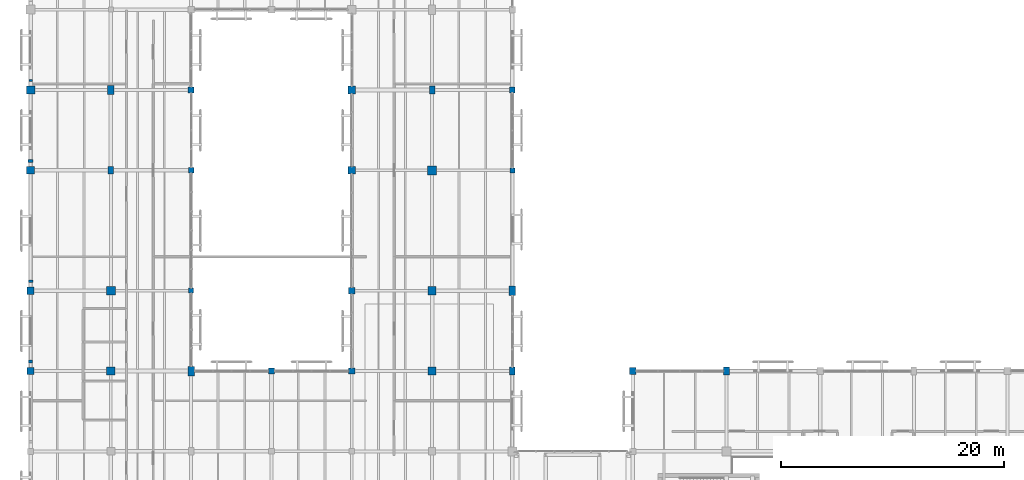
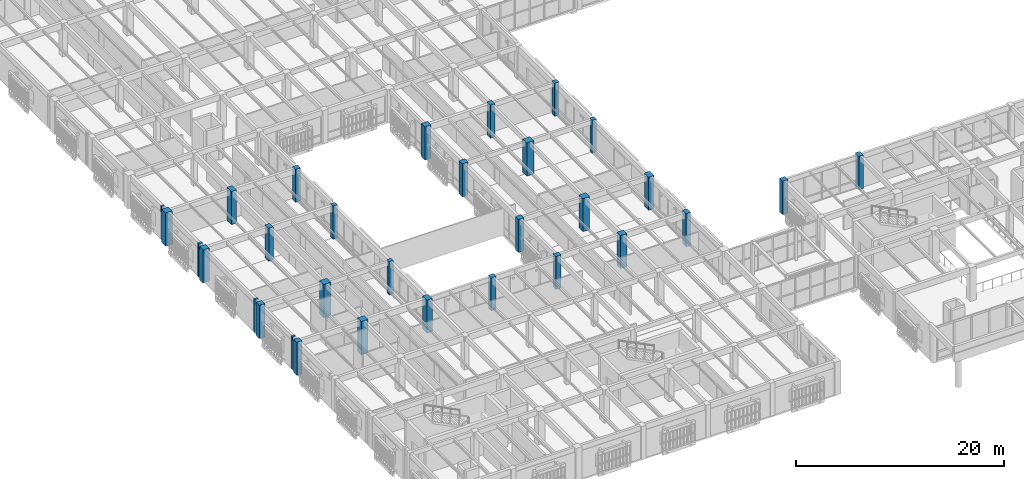
# One storey, part 3 of 170: 31 columns.
"""IFC4 building model written with IfcOpenShell, lengths in metres."""

from ifc_helpers import new_model, si_unit, direction, frame, origin, origin_2d, place, context, subcontext, project, spatial, rectangle, extrude, material, material_profile, profile_set, type_object, element, save


model = new_model("IFC4")

# Units and contexts
model_context = context("Model", 3, precision=1e-05, world=origin(), true_north=direction((0.0, 1.0)))
body_context = subcontext(model_context, "Body", "Model", "MODEL_VIEW")
ifc_project = project(units=[si_unit("LENGTHUNIT", "METRE"), si_unit("AREAUNIT", "SQUARE_METRE"), si_unit("VOLUMEUNIT", "CUBIC_METRE"), si_unit("PLANEANGLEUNIT", "RADIAN"), si_unit("MASSUNIT", "GRAM", prefix="KILO")], contexts=[model_context])

# Site, building, storey
site_placement = place(None, origin())
site = spatial("IfcSite", under=ifc_project, at=site_placement, CompositionType="ELEMENT")
building_placement = place(site_placement, origin())
building = spatial("IfcBuilding", under=site, at=building_placement, Name="Mazaris Harbour Polytechnic", CompositionType="ELEMENT")
storey_placement = place(building_placement, frame((0.0, 0.0, 5.39990234375)))
storey = spatial("IfcBuildingStorey", under=building, at=storey_placement, Name="L01", CompositionType="ELEMENT", Elevation=5.39990234375)

# Columns
ifc_material_1 = material(Name="Concrete C35/45", Category="concrete")
ifc_material_profile_1 = material_profile(ifc_material_1, rectangle(XDim=0.320068359375, YDim=0.219970703125, at=origin_2d()), Name="RECT320x220")
ifc_profile_set_1 = profile_set([ifc_material_profile_1], Name="Concrete C35/45")
column_type_1 = type_object("IfcColumnType", Name="Limestone Pilaster 320x220", PredefinedType="PILASTER", material=ifc_profile_set_1)
column_1_placement = place(storey_placement, frame((0.0, 62.050048828125, 0.0), z_axis=(0.0, 0.0, 1.0), x_axis=(1.0, 0.0, 0.0)))
element("IfcColumn", 1, at=column_1_placement, inside=storey, type_object=column_type_1, Name="V4 L01 Giant Order Pilaster 32", PredefinedType="PILASTER", context=body_context, shape_type="SweptSolid", body=[
    extrude(rectangle(XDim=0.320068359375, YDim=0.219970703125, at=origin_2d()), origin(), (0.0, 0.0, 1.0), 3.89013671875),
])
ifc_material_2 = material(Name="Concrete C35/45", Category="concrete")
ifc_material_profile_2 = material_profile(ifc_material_2, rectangle(XDim=0.360107421875, YDim=0.239990234375, at=origin_2d()), Name="RECT360x240")
ifc_profile_set_2 = profile_set([ifc_material_profile_2], Name="Concrete C35/45")
column_type_2 = type_object("IfcColumnType", Name="Limestone Pilaster 360x240", PredefinedType="PILASTER", material=ifc_profile_set_2)
column_2_placement = place(storey_placement, frame((0.0, 36.85009765625, 0.0), z_axis=(0.0, 0.0, 1.0), x_axis=(1.0, 0.0, 0.0)))
element("IfcColumn", 2, at=column_2_placement, inside=storey, type_object=column_type_2, Name="V4 L01 Giant Order Pilaster 29", PredefinedType="PILASTER", context=body_context, shape_type="SweptSolid", body=[
    extrude(rectangle(XDim=0.360107421875, YDim=0.239990234375, at=origin_2d()), origin(), (0.0, 0.0, 1.0), 3.89013671875),
])
ifc_material_3 = material(Name="Concrete C35/45", Category="concrete")
ifc_material_profile_3 = material_profile(ifc_material_3, rectangle(XDim=0.39990234375, YDim=0.260009765625, at=origin_2d()), Name="RECT400x260")
ifc_profile_set_3 = profile_set([ifc_material_profile_3], Name="Concrete C35/45")
column_type_3 = type_object("IfcColumnType", Name="Limestone Pilaster 400x260", PredefinedType="PILASTER", material=ifc_profile_set_3)
column_3_placement = place(storey_placement, frame((0.0, 44.050048828125, 0.0), z_axis=(0.0, 0.0, 1.0), x_axis=(1.0, 0.0, 0.0)))
element("IfcColumn", 3, at=column_3_placement, inside=storey, type_object=column_type_3, Name="V4 L01 Giant Order Pilaster 30", PredefinedType="PILASTER", context=body_context, shape_type="SweptSolid", body=[
    extrude(rectangle(XDim=0.39990234375, YDim=0.260009765625, at=origin_2d()), origin(), (0.0, 0.0, 1.0), 3.89013671875),
])
ifc_material_4 = material(Name="Concrete C35/45", Category="concrete")
ifc_material_profile_4 = material_profile(ifc_material_4, rectangle(XDim=0.43994140625, YDim=0.280029296875, at=origin_2d()), Name="RECT440x280")
ifc_profile_set_4 = profile_set([ifc_material_profile_4], Name="Concrete C35/45")
column_type_4 = type_object("IfcColumnType", Name="Limestone Pilaster 440x280", PredefinedType="PILASTER", material=ifc_profile_set_4)
column_4_placement = place(storey_placement, frame((0.0, 54.85009765625, 0.0), z_axis=(0.0, 0.0, 1.0), x_axis=(1.0, 0.0, 0.0)))
element("IfcColumn", 4, at=column_4_placement, inside=storey, type_object=column_type_4, Name="V4 L01 Giant Order Pilaster 31", PredefinedType="PILASTER", context=body_context, shape_type="SweptSolid", body=[
    extrude(rectangle(XDim=0.43994140625, YDim=0.280029296875, at=origin_2d()), origin(), (0.0, 0.0, 1.0), 3.89013671875),
])
ifc_material_5 = material(Name="Concrete C40/50", Category="concrete")
ifc_material_profile_5 = material_profile(ifc_material_5, rectangle(XDim=0.449951171875, YDim=0.449951171875, at=origin_2d()), Name="RECT450x450")
ifc_profile_set_5 = profile_set([ifc_material_profile_5], Name="Concrete C40/50")
column_type_5 = type_object("IfcColumnType", Name="RC Column 450x450", PredefinedType="COLUMN", material=ifc_profile_set_5)
column_5_placement = place(storey_placement, frame((14.39990234375, 43.199951171875, 0.0), z_axis=(0.0, 0.0, 1.0), x_axis=(1.0, 0.0, 0.0)))
element("IfcColumn", 5, at=column_5_placement, inside=storey, type_object=column_type_5, Name="V4 L01 Column 759", PredefinedType="COLUMN", context=body_context, shape_type="SweptSolid", body=[
    extrude(rectangle(XDim=0.449951171875, YDim=0.449951171875, at=origin_2d()), origin(), (0.0, 0.0, 1.0), 3.89013671875),
])
ifc_material_6 = material(Name="Concrete C40/50", Category="concrete")
ifc_material_profile_6 = material_profile(ifc_material_6, rectangle(XDim=0.449951171875, YDim=0.449951171875, at=origin_2d()), Name="RECT450x450")
ifc_profile_set_6 = profile_set([ifc_material_profile_6], Name="Concrete C40/50")
column_type_6 = type_object("IfcColumnType", Name="RC Column 450x450 Exterior", PredefinedType="COLUMN", material=ifc_profile_set_6)
column_6_placement = place(storey_placement, frame((43.199951171875, 54.0, 0.0), z_axis=(0.0, 0.0, 1.0), x_axis=(1.0, 0.0, 0.0)))
element("IfcColumn", 6, at=column_6_placement, inside=storey, type_object=column_type_6, Name="V4 L01 Column 809", PredefinedType="COLUMN", context=body_context, shape_type="SweptSolid", body=[
    extrude(rectangle(XDim=0.449951171875, YDim=0.449951171875, at=origin_2d()), origin(), (0.0, 0.0, 1.0), 3.89013671875),
])
ifc_material_7 = material(Name="Concrete C40/50", Category="concrete")
ifc_material_profile_7 = material_profile(ifc_material_7, rectangle(XDim=0.5, YDim=0.5, at=origin_2d()), Name="RECT500x500")
ifc_profile_set_7 = profile_set([ifc_material_profile_7], Name="Concrete C40/50")
column_type_7 = type_object("IfcColumnType", Name="RC Column 500x500", PredefinedType="COLUMN", material=ifc_profile_set_7)
column_7_placement = place(storey_placement, frame((14.39990234375, 54.0, 0.0), z_axis=(0.0, 0.0, 1.0), x_axis=(1.0, 0.0, 0.0)))
element("IfcColumn", 7, at=column_7_placement, inside=storey, type_object=column_type_7, Name="V4 L01 Column 760", PredefinedType="COLUMN", context=body_context, shape_type="SweptSolid", body=[
    extrude(rectangle(XDim=0.5, YDim=0.5, at=origin_2d()), origin(), (0.0, 0.0, 1.0), 3.89013671875),
])
ifc_material_8 = material(Name="Concrete C40/50", Category="concrete")
ifc_material_profile_8 = material_profile(ifc_material_8, rectangle(XDim=0.5, YDim=0.5, at=origin_2d()), Name="RECT500x500")
ifc_profile_set_8 = profile_set([ifc_material_profile_8], Name="Concrete C40/50")
column_type_8 = type_object("IfcColumnType", Name="RC Column 500x500 Exterior", PredefinedType="COLUMN", material=ifc_profile_set_8)
column_8_placement = place(storey_placement, frame((43.199951171875, 61.199951171875, 0.0), z_axis=(0.0, 0.0, 1.0), x_axis=(1.0, 0.0, 0.0)))
element("IfcColumn", 8, at=column_8_placement, inside=storey, type_object=column_type_8, Name="V4 L01 Column 810", PredefinedType="COLUMN", context=body_context, shape_type="SweptSolid", body=[
    extrude(rectangle(XDim=0.5, YDim=0.5, at=origin_2d()), origin(), (0.0, 0.0, 1.0), 3.89013671875),
])
ifc_material_9 = material(Name="Concrete C40/50", Category="concrete")
ifc_material_profile_9 = material_profile(ifc_material_9, rectangle(XDim=0.5, YDim=0.699951171875, at=origin_2d()), Name="RECT500x700")
ifc_profile_set_9 = profile_set([ifc_material_profile_9], Name="Concrete C40/50")
column_type_9 = type_object("IfcColumnType", Name="RC Column 500x700", PredefinedType="COLUMN", material=ifc_profile_set_9)
for number, where, z_axis, x_axis, name in (
    (9, (7.199951171875, 54.0, 0.0), (0.0, 0.0, 1.0), (1.0, 0.0, 0.0), "V4 L01 Column 747"),
    (10, (36.0, 61.199951171875, 0.0), (0.0, 0.0, 1.0), (1.0, 0.0, 0.0), "V4 L01 Column 797"),
):
    element("IfcColumn", number, at=place(storey_placement, frame(where, z_axis=z_axis, x_axis=x_axis)), inside=storey, type_object=column_type_9, Name=name, PredefinedType="COLUMN", context=body_context, shape_type="SweptSolid", body=[
        extrude(rectangle(XDim=0.5, YDim=0.699951171875, at=origin_2d()), origin(), (0.0, 0.0, 1.0), 3.89013671875),
    ])
ifc_material_10 = material(Name="Concrete C40/50", Category="concrete")
ifc_material_profile_10 = material_profile(ifc_material_10, rectangle(XDim=0.5, YDim=0.699951171875, at=origin_2d()), Name="RECT500x700")
ifc_profile_set_10 = profile_set([ifc_material_profile_10], Name="Concrete C40/50")
column_type_10 = type_object("IfcColumnType", Name="RC Column 500x700 Exterior", PredefinedType="COLUMN", material=ifc_profile_set_10)
column_9_placement = place(storey_placement, frame((62.39990234375, 36.0, 0.0), z_axis=(0.0, 0.0, 1.0), x_axis=(1.0, 0.0, 0.0)))
element("IfcColumn", 11, at=column_9_placement, inside=storey, type_object=column_type_10, Name="V3 L01 Column 477", PredefinedType="COLUMN", context=body_context, shape_type="SweptSolid", body=[
    extrude(rectangle(XDim=0.5, YDim=0.699951171875, at=origin_2d()), origin(), (0.0, 0.0, 1.0), 3.920166015625),
])
column_10_placement = place(storey_placement, frame((43.199951171875, 36.0, 0.0), z_axis=(0.0, 0.0, 1.0), x_axis=(1.0, 0.0, 0.0)))
element("IfcColumn", 12, at=column_10_placement, inside=storey, type_object=column_type_10, Name="V4 L01 Column 807", PredefinedType="COLUMN", context=body_context, shape_type="SweptSolid", body=[
    extrude(rectangle(XDim=0.5, YDim=0.699951171875, at=origin_2d()), origin(), (0.0, 0.0, 1.0), 3.89013671875),
])
ifc_material_11 = material(Name="Concrete C40/50", Category="concrete")
ifc_material_profile_11 = material_profile(ifc_material_11, rectangle(XDim=0.550048828125, YDim=0.550048828125, at=origin_2d()), Name="RECT550x550")
ifc_profile_set_11 = profile_set([ifc_material_profile_11], Name="Concrete C40/50")
column_type_11 = type_object("IfcColumnType", Name="RC Column 550x550", PredefinedType="COLUMN", material=ifc_profile_set_11)
for number, where, z_axis, x_axis, name in (
    (13, (14.39990234375, 61.199951171875, 0.0), (0.0, 0.0, 1.0), (1.0, 0.0, 0.0), "V4 L01 Column 761"),
    (14, (21.60009765625, 36.0, 0.0), (0.0, 0.0, 1.0), (1.0, 0.0, 0.0), "V4 L01 Column 771"),
    (15, (28.800048828125, 36.0, 0.0), (0.0, 0.0, 1.0), (1.0, 0.0, 0.0), "V4 L01 Column 781"),
):
    element("IfcColumn", number, at=place(storey_placement, frame(where, z_axis=z_axis, x_axis=x_axis)), inside=storey, type_object=column_type_11, Name=name, PredefinedType="COLUMN", context=body_context, shape_type="SweptSolid", body=[
        extrude(rectangle(XDim=0.550048828125, YDim=0.550048828125, at=origin_2d()), origin(), (0.0, 0.0, 1.0), 3.89013671875),
    ])
ifc_material_12 = material(Name="Concrete C40/50", Category="concrete")
ifc_material_profile_12 = material_profile(ifc_material_12, rectangle(XDim=0.60009765625, YDim=0.60009765625, at=origin_2d()), Name="RECT600x600")
ifc_profile_set_12 = profile_set([ifc_material_profile_12], Name="Concrete C40/50")
column_type_12 = type_object("IfcColumnType", Name="RC Column 600x600", PredefinedType="COLUMN", material=ifc_profile_set_12)
column_11_placement = place(storey_placement, frame((28.800048828125, 43.199951171875, 0.0), z_axis=(0.0, 0.0, 1.0), x_axis=(1.0, 0.0, 0.0)))
element("IfcColumn", 16, at=column_11_placement, inside=storey, type_object=column_type_12, Name="V4 L01 Column 782", PredefinedType="COLUMN", context=body_context, shape_type="SweptSolid", body=[
    extrude(rectangle(XDim=0.60009765625, YDim=0.60009765625, at=origin_2d()), origin(), (0.0, 0.0, 1.0), 3.89013671875),
])
ifc_material_13 = material(Name="Concrete C40/50", Category="concrete")
ifc_material_profile_13 = material_profile(ifc_material_13, rectangle(XDim=0.60009765625, YDim=0.60009765625, at=origin_2d()), Name="RECT600x600")
ifc_profile_set_13 = profile_set([ifc_material_profile_13], Name="Concrete C40/50")
column_type_13 = type_object("IfcColumnType", Name="RC Column 600x600 Exterior", PredefinedType="COLUMN", material=ifc_profile_set_13)
column_12_placement = place(storey_placement, frame((54.0, 36.0, 0.0), z_axis=(0.0, 0.0, 1.0), x_axis=(1.0, 0.0, 0.0)))
element("IfcColumn", 17, at=column_12_placement, inside=storey, type_object=column_type_13, Name="V3 L01 Column 472", PredefinedType="COLUMN", context=body_context, shape_type="SweptSolid", body=[
    extrude(rectangle(XDim=0.60009765625, YDim=0.60009765625, at=origin_2d()), origin(), (0.0, 0.0, 1.0), 3.920166015625),
])
column_13_placement = place(storey_placement, frame((0.0, 36.0, 0.0), z_axis=(0.0, 0.0, 1.0), x_axis=(1.0, 0.0, 0.0)))
element("IfcColumn", 18, at=column_13_placement, inside=storey, type_object=column_type_13, Name="V4 L01 Column 732", PredefinedType="COLUMN", context=body_context, shape_type="SweptSolid", body=[
    extrude(rectangle(XDim=0.60009765625, YDim=0.60009765625, at=origin_2d()), origin(), (0.0, 0.0, 1.0), 3.89013671875),
])
ifc_material_14 = material(Name="Concrete C40/50", Category="concrete")
ifc_material_profile_14 = material_profile(ifc_material_14, rectangle(XDim=0.60009765625, YDim=0.85009765625, at=origin_2d()), Name="RECT600x850")
ifc_profile_set_14 = profile_set([ifc_material_profile_14], Name="Concrete C40/50")
column_type_14 = type_object("IfcColumnType", Name="RC Column 600x850", PredefinedType="COLUMN", material=ifc_profile_set_14)
for number, where, z_axis, x_axis, name in (
    (19, (7.199951171875, 61.199951171875, 0.0), (0.0, 0.0, 1.0), (1.0, 0.0, 0.0), "V4 L01 Column 748"),
    (20, (14.39990234375, 36.0, 0.0), (0.0, 0.0, 1.0), (1.0, 0.0, 0.0), "V4 L01 Column 758"),
):
    element("IfcColumn", number, at=place(storey_placement, frame(where, z_axis=z_axis, x_axis=x_axis)), inside=storey, type_object=column_type_14, Name=name, PredefinedType="COLUMN", context=body_context, shape_type="SweptSolid", body=[
        extrude(rectangle(XDim=0.60009765625, YDim=0.85009765625, at=origin_2d()), origin(), (0.0, 0.0, 1.0), 3.89013671875),
    ])
ifc_material_15 = material(Name="Concrete C40/50", Category="concrete")
ifc_material_profile_15 = material_profile(ifc_material_15, rectangle(XDim=0.60009765625, YDim=0.85009765625, at=origin_2d()), Name="RECT600x850")
ifc_profile_set_15 = profile_set([ifc_material_profile_15], Name="Concrete C40/50")
column_type_15 = type_object("IfcColumnType", Name="RC Column 600x850 Exterior", PredefinedType="COLUMN", material=ifc_profile_set_15)
column_14_placement = place(storey_placement, frame((43.199951171875, 43.199951171875, 0.0), z_axis=(0.0, 0.0, 1.0), x_axis=(1.0, 0.0, 0.0)))
element("IfcColumn", 21, at=column_14_placement, inside=storey, type_object=column_type_15, Name="V4 L01 Column 808", PredefinedType="COLUMN", context=body_context, shape_type="SweptSolid", body=[
    extrude(rectangle(XDim=0.60009765625, YDim=0.85009765625, at=origin_2d()), origin(), (0.0, 0.0, 1.0), 3.89013671875),
])
ifc_material_16 = material(Name="Concrete C40/50", Category="concrete")
ifc_material_profile_16 = material_profile(ifc_material_16, rectangle(XDim=0.64990234375, YDim=0.64990234375, at=origin_2d()), Name="RECT650x650")
ifc_profile_set_16 = profile_set([ifc_material_profile_16], Name="Concrete C40/50")
column_type_16 = type_object("IfcColumnType", Name="RC Column 650x650", PredefinedType="COLUMN", material=ifc_profile_set_16)
column_15_placement = place(storey_placement, frame((28.800048828125, 54.0, 0.0), z_axis=(0.0, 0.0, 1.0), x_axis=(1.0, 0.0, 0.0)))
element("IfcColumn", 22, at=column_15_placement, inside=storey, type_object=column_type_16, Name="V4 L01 Column 783", PredefinedType="COLUMN", context=body_context, shape_type="SweptSolid", body=[
    extrude(rectangle(XDim=0.64990234375, YDim=0.64990234375, at=origin_2d()), origin(), (0.0, 0.0, 1.0), 3.89013671875),
])
ifc_material_17 = material(Name="Concrete C40/50", Category="concrete")
ifc_material_profile_17 = material_profile(ifc_material_17, rectangle(XDim=0.64990234375, YDim=0.64990234375, at=origin_2d()), Name="RECT650x650")
ifc_profile_set_17 = profile_set([ifc_material_profile_17], Name="Concrete C40/50")
column_type_17 = type_object("IfcColumnType", Name="RC Column 650x650 Exterior", PredefinedType="COLUMN", material=ifc_profile_set_17)
column_16_placement = place(storey_placement, frame((0.0, 43.199951171875, 0.0), z_axis=(0.0, 0.0, 1.0), x_axis=(1.0, 0.0, 0.0)))
element("IfcColumn", 23, at=column_16_placement, inside=storey, type_object=column_type_17, Name="V4 L01 Column 733", PredefinedType="COLUMN", context=body_context, shape_type="SweptSolid", body=[
    extrude(rectangle(XDim=0.64990234375, YDim=0.64990234375, at=origin_2d()), origin(), (0.0, 0.0, 1.0), 3.89013671875),
])
ifc_material_18 = material(Name="Concrete C40/50", Category="concrete")
ifc_material_profile_18 = material_profile(ifc_material_18, rectangle(XDim=0.699951171875, YDim=0.699951171875, at=origin_2d()), Name="RECT700x700")
ifc_profile_set_18 = profile_set([ifc_material_profile_18], Name="Concrete C40/50")
column_type_18 = type_object("IfcColumnType", Name="RC Column 700x700", PredefinedType="COLUMN", material=ifc_profile_set_18)
for number, where, z_axis, x_axis, name in (
    (24, (28.800048828125, 61.199951171875, 0.0), (0.0, 0.0, 1.0), (1.0, 0.0, 0.0), "V4 L01 Column 784"),
    (25, (36.0, 36.0, 0.0), (0.0, 0.0, 1.0), (1.0, 0.0, 0.0), "V4 L01 Column 794"),
):
    element("IfcColumn", number, at=place(storey_placement, frame(where, z_axis=z_axis, x_axis=x_axis)), inside=storey, type_object=column_type_18, Name=name, PredefinedType="COLUMN", context=body_context, shape_type="SweptSolid", body=[
        extrude(rectangle(XDim=0.699951171875, YDim=0.699951171875, at=origin_2d()), origin(), (0.0, 0.0, 1.0), 3.89013671875),
    ])
ifc_material_19 = material(Name="Concrete C40/50", Category="concrete")
ifc_material_profile_19 = material_profile(ifc_material_19, rectangle(XDim=0.699951171875, YDim=0.699951171875, at=origin_2d()), Name="RECT700x700")
ifc_profile_set_19 = profile_set([ifc_material_profile_19], Name="Concrete C40/50")
column_type_19 = type_object("IfcColumnType", Name="RC Column 700x700 Exterior", PredefinedType="COLUMN", material=ifc_profile_set_19)
column_17_placement = place(storey_placement, frame((0.0, 54.0, 0.0), z_axis=(0.0, 0.0, 1.0), x_axis=(1.0, 0.0, 0.0)))
element("IfcColumn", 26, at=column_17_placement, inside=storey, type_object=column_type_19, Name="V4 L01 Column 734", PredefinedType="COLUMN", context=body_context, shape_type="SweptSolid", body=[
    extrude(rectangle(XDim=0.699951171875, YDim=0.699951171875, at=origin_2d()), origin(), (0.0, 0.0, 1.0), 3.89013671875),
])
ifc_material_20 = material(Name="Concrete C40/50", Category="concrete")
ifc_material_profile_20 = material_profile(ifc_material_20, rectangle(XDim=0.75, YDim=0.75, at=origin_2d()), Name="RECT750x750")
ifc_profile_set_20 = profile_set([ifc_material_profile_20], Name="Concrete C40/50")
column_type_20 = type_object("IfcColumnType", Name="RC Column 750x750", PredefinedType="COLUMN", material=ifc_profile_set_20)
for number, where, z_axis, x_axis, name in (
    (27, (7.199951171875, 36.0, 0.0), (0.0, 0.0, 1.0), (1.0, 0.0, 0.0), "V4 L01 Column 745"),
    (28, (36.0, 43.199951171875, 0.0), (0.0, 0.0, 1.0), (1.0, 0.0, 0.0), "V4 L01 Column 795"),
):
    element("IfcColumn", number, at=place(storey_placement, frame(where, z_axis=z_axis, x_axis=x_axis)), inside=storey, type_object=column_type_20, Name=name, PredefinedType="COLUMN", context=body_context, shape_type="SweptSolid", body=[
        extrude(rectangle(XDim=0.75, YDim=0.75, at=origin_2d()), origin(), (0.0, 0.0, 1.0), 3.89013671875),
    ])
ifc_material_21 = material(Name="Concrete C40/50", Category="concrete")
ifc_material_profile_21 = material_profile(ifc_material_21, rectangle(XDim=0.75, YDim=0.75, at=origin_2d()), Name="RECT750x750")
ifc_profile_set_21 = profile_set([ifc_material_profile_21], Name="Concrete C40/50")
column_type_21 = type_object("IfcColumnType", Name="RC Column 750x750 Exterior", PredefinedType="COLUMN", material=ifc_profile_set_21)
column_18_placement = place(storey_placement, frame((0.0, 61.199951171875, 0.0), z_axis=(0.0, 0.0, 1.0), x_axis=(1.0, 0.0, 0.0)))
element("IfcColumn", 29, at=column_18_placement, inside=storey, type_object=column_type_21, Name="V4 L01 Column 735", PredefinedType="COLUMN", context=body_context, shape_type="SweptSolid", body=[
    extrude(rectangle(XDim=0.75, YDim=0.75, at=origin_2d()), origin(), (0.0, 0.0, 1.0), 3.89013671875),
])
ifc_material_22 = material(Name="Concrete C40/50", Category="concrete")
ifc_material_profile_22 = material_profile(ifc_material_22, rectangle(XDim=0.800048828125, YDim=0.800048828125, at=origin_2d()), Name="RECT800x800")
ifc_profile_set_22 = profile_set([ifc_material_profile_22], Name="Concrete C40/50")
column_type_22 = type_object("IfcColumnType", Name="RC Column 800x800", PredefinedType="COLUMN", material=ifc_profile_set_22)
for number, where, z_axis, x_axis, name in (
    (30, (7.199951171875, 43.199951171875, 0.0), (0.0, 0.0, 1.0), (1.0, 0.0, 0.0), "V4 L01 Column 746"),
    (31, (36.0, 54.0, 0.0), (0.0, 0.0, 1.0), (1.0, 0.0, 0.0), "V4 L01 Column 796"),
):
    element("IfcColumn", number, at=place(storey_placement, frame(where, z_axis=z_axis, x_axis=x_axis)), inside=storey, type_object=column_type_22, Name=name, PredefinedType="COLUMN", context=body_context, shape_type="SweptSolid", body=[
        extrude(rectangle(XDim=0.800048828125, YDim=0.800048828125, at=origin_2d()), origin(), (0.0, 0.0, 1.0), 3.89013671875),
    ])

save(model, "model.ifc")
